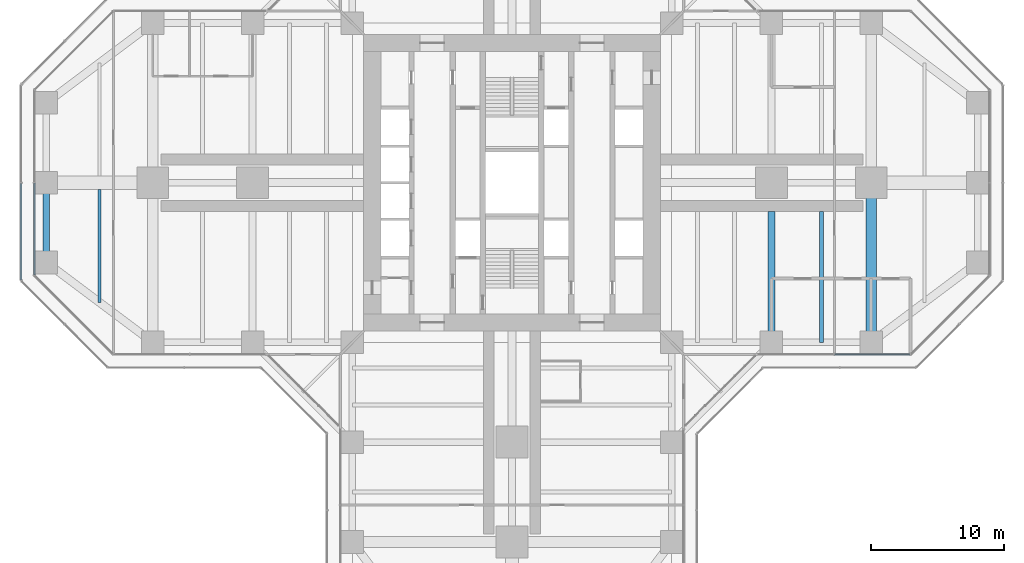
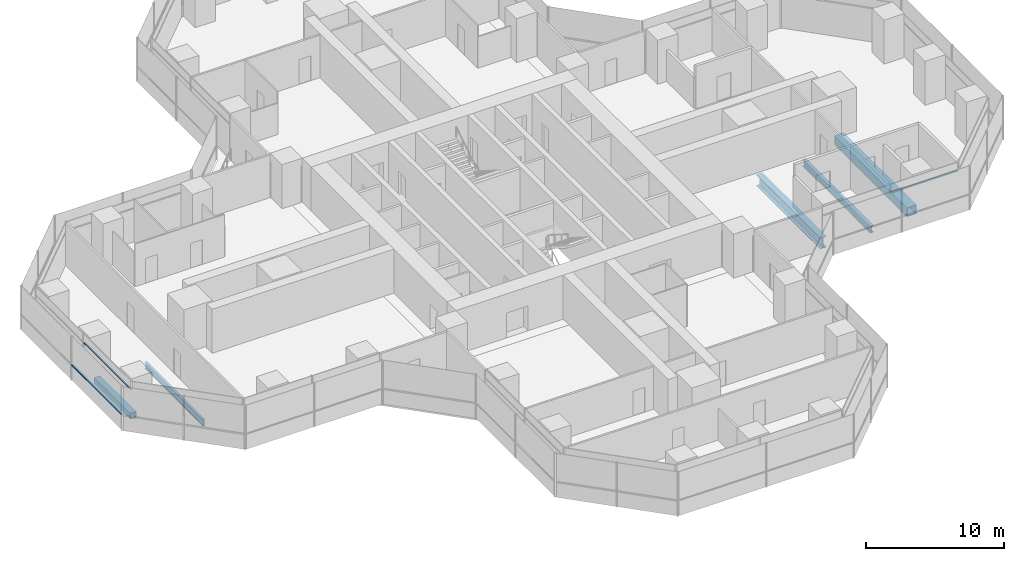
# One storey, part 7 of 22: 5 beams, 3 members, 3 elements without a shape of their own.
"""IFC4 building model written with IfcOpenShell, lengths in metres."""

from ifc_helpers import new_model, si_unit, direction, frame, origin, origin_2d, place, context, subcontext, project, spatial, rectangle, hollow_rectangle, i_section, extrude, material, material_profile, profile_set, type_object, element, aggregate, save


model = new_model("IFC4")

# Units and contexts
model_context = context("Model", 3, precision=1e-05, world=origin(), true_north=direction((0.0, 1.0)))
body_context = subcontext(model_context, "Body", "Model", "MODEL_VIEW")
ifc_project = project(units=[si_unit("LENGTHUNIT", "METRE"), si_unit("AREAUNIT", "SQUARE_METRE"), si_unit("VOLUMEUNIT", "CUBIC_METRE"), si_unit("PLANEANGLEUNIT", "RADIAN"), si_unit("MASSUNIT", "GRAM", prefix="KILO")], contexts=[model_context])

# Site, building, storey
site_placement = place(None, origin())
site = spatial("IfcSite", under=ifc_project, at=site_placement, CompositionType="ELEMENT")
building_placement = place(site_placement, origin())
building = spatial("IfcBuilding", under=site, at=building_placement, Name="Mizan Broadcast Tower", CompositionType="ELEMENT")
storey_placement = place(building_placement, frame((0.0, 0.0, 78.60009765625)))
storey = spatial("IfcBuildingStorey", under=building, at=storey_placement, Name="L16", CompositionType="ELEMENT", Elevation=78.60009765625)

# Beams
ifc_material_1 = material(Name="Steel S355", Category="steel")
ifc_material_profile_1 = material_profile(ifc_material_1, hollow_rectangle(XDim=0.5, YDim=0.5, WallThickness=0.030029296875, at=origin_2d()), Name="BOX 500x500x30")
ifc_profile_set_1 = profile_set([ifc_material_profile_1], Name="Steel S355")
beam_type_1 = type_object("IfcBeamType", Name="EDGE BEAM BOX 500x500x30", PredefinedType="SPANDREL", material=ifc_profile_set_1)
beam_1_placement = place(storey_placement, frame((-35.0, -5.639892578125, -0.380126953125), z_axis=(0.0, 1.0, 0.0), x_axis=(-1.0, 0.0, 0.0)))
element("IfcBeam", 1, at=beam_1_placement, inside=storey, type_object=beam_type_1, Name="Edge beam BOX 500x500x30 L16 west arm", PredefinedType="SPANDREL", context=body_context, shape_type="SweptSolid", body=[
    extrude(hollow_rectangle(XDim=0.5, YDim=0.5, WallThickness=0.030029296875, at=origin_2d()), origin(), (0.0, 0.0, 1.0), 5.27978515625),
])
ifc_material_2 = material(Name="Steel S460", Category="steel")
ifc_material_profile_2 = material_profile(ifc_material_2, hollow_rectangle(XDim=0.800048828125, YDim=0.800048828125, WallThickness=0.050048828125, at=origin_2d()), Name="BOX 800x800x50")
ifc_profile_set_2 = profile_set([ifc_material_profile_2], Name="Steel S460")
beam_type_2 = type_object("IfcBeamType", Name="GIRDER BOX 800x800x50", PredefinedType="BEAM", material=ifc_profile_set_2)
beam_2_placement = place(storey_placement, frame((27.0, -11.280029296875, -0.530029296875), z_axis=(0.0, 1.0, 0.0), x_axis=(-1.0, 0.0, 0.0)))
element("IfcBeam", 2, at=beam_2_placement, inside=storey, type_object=beam_type_2, Name="Girder BOX 800x800x50 L16 east arm", PredefinedType="BEAM", context=body_context, shape_type="SweptSolid", body=[
    extrude(hollow_rectangle(XDim=0.800048828125, YDim=0.800048828125, WallThickness=0.050048828125, at=origin_2d()), origin(), (0.0, 0.0, 1.0), 10.56005859375),
])
ifc_material_3 = material(Name="Steel S460", Category="steel")
ifc_material_profile_3 = material_profile(ifc_material_3, i_section(OverallWidth=0.5, OverallDepth=1.0, WebThickness=0.02490234375, FlangeThickness=0.050048828125, at=origin_2d()), Name="WPG 1000x500")
ifc_profile_set_3 = profile_set([ifc_material_profile_3], Name="Steel S460")
beam_type_3 = type_object("IfcBeamType", Name="GIRDER WPG 1000x500", PredefinedType="BEAM", material=ifc_profile_set_3)
beam_3_placement = place(storey_placement, frame((19.5, -11.408935546875, -0.630126953125), z_axis=(0.0, 1.0, 0.0), x_axis=(-1.0, 0.0, 0.0)))
element("IfcBeam", 3, at=beam_3_placement, inside=storey, type_object=beam_type_3, Name="Girder WPG 1000x500 L16 east arm", PredefinedType="BEAM", context=body_context, shape_type="SweptSolid", body=[
    extrude(i_section(OverallWidth=0.5, OverallDepth=1.0, WebThickness=0.02490234375, FlangeThickness=0.050048828125, at=origin_2d()), origin(), (0.0, 0.0, 1.0), 9.259033203125),
])

# Curtain wall, member
ifc_material_4 = material(Name="Aluminium framed glazing", Category="aluminium")
curtain_wall_type_1 = type_object("IfcCurtainWallType", Name="INNER SKIN LOW ZONE", PredefinedType="USERDEFINED", material=ifc_material_4)
curtain_wall_1_placement = place(storey_placement, origin())
curtain_wall_1 = element("IfcCurtainWall", 4, at=curtain_wall_1_placement, inside=storey, type_object=curtain_wall_type_1, Name="Inner skin low zone L16 E side", ObjectType="INNER SKIN LOW ZONE", PredefinedType="USERDEFINED")
ifc_material_5 = material(Name="Aluminium, pale anodised", Category="aluminium")
ifc_material_profile_4 = material_profile(ifc_material_5, rectangle(XDim=0.1201171875, YDim=0.06005859375, at=origin_2d()), Name="TRANSOM 120x60")
ifc_profile_set_4 = profile_set([ifc_material_profile_4], Name="Aluminium, pale anodised")
member_type_1 = type_object("IfcMemberType", Name="INNER SKIN TRANSOM 60x120", PredefinedType="USERDEFINED", material=ifc_profile_set_4)
member_1_placement = place(storey_placement, frame((24.25927734375, -12.89990234375, 3.02978515625), z_axis=(1.0, 0.0, 0.0), x_axis=(0.0, 1.0, 0.0)))
member_1 = element("IfcMember", 5, at=member_1_placement, type_object=member_type_1, Name="Inner skin low zone L16 E side transom 2.1", ObjectType="TRANSOM", PredefinedType="USERDEFINED", context=body_context, shape_type="SweptSolid", body=[
    extrude(rectangle(XDim=0.1201171875, YDim=0.06005859375, at=origin_2d()), origin(), (0.0, 0.0, 1.0), 5.639404296875),
])
aggregate(curtain_wall_1, [member_1])

curtain_wall_2_placement = place(storey_placement, origin())
curtain_wall_2 = element("IfcCurtainWall", 6, at=curtain_wall_2_placement, inside=storey, type_object=curtain_wall_type_1, Name="Inner skin low zone L16 W end", ObjectType="INNER SKIN LOW ZONE", PredefinedType="USERDEFINED")
member_2_placement = place(storey_placement, frame((-35.89990234375, -0.030029296875, 3.02978515625), z_axis=(0.0, -1.0, 0.0), x_axis=(1.0, 0.0, 0.0)))
member_2 = element("IfcMember", 7, at=member_2_placement, type_object=member_type_1, Name="Inner skin low zone L16 W end transom 2.1", ObjectType="TRANSOM", PredefinedType="USERDEFINED", context=body_context, shape_type="SweptSolid", body=[
    extrude(rectangle(XDim=0.1201171875, YDim=0.06005859375, at=origin_2d()), origin(), (0.0, 0.0, 1.0), 6.86865234375),
])
aggregate(curtain_wall_2, [member_2])

ifc_material_6 = material(Name="Aluminium framed glazing", Category="aluminium")
curtain_wall_type_2 = type_object("IfcCurtainWallType", Name="OUTER SKIN", PredefinedType="USERDEFINED", material=ifc_material_6)
curtain_wall_3_placement = place(storey_placement, origin())
curtain_wall_3 = element("IfcCurtainWall", 8, at=curtain_wall_3_placement, inside=storey, type_object=curtain_wall_type_2, Name="Outer skin L16 W end", ObjectType="OUTER SKIN", PredefinedType="USERDEFINED")
ifc_material_7 = material(Name="Aluminium, pale anodised", Category="aluminium")
ifc_material_profile_5 = material_profile(ifc_material_7, rectangle(XDim=0.159912109375, YDim=0.06005859375, at=origin_2d()), Name="TRANSOM 160x60")
ifc_profile_set_5 = profile_set([ifc_material_profile_5], Name="Aluminium, pale anodised")
member_type_2 = type_object("IfcMemberType", Name="OUTER SKIN TRANSOM 60x160", PredefinedType="USERDEFINED", material=ifc_profile_set_5)
member_3_placement = place(storey_placement, frame((-36.89990234375, -0.0400390625, 1.39990234375), z_axis=(0.0, -1.0, 0.0), x_axis=(1.0, 0.0, 0.0)))
member_3 = element("IfcMember", 9, at=member_3_placement, type_object=member_type_2, Name="Outer skin L16 W end transom 2.1", ObjectType="TRANSOM", PredefinedType="USERDEFINED", context=body_context, shape_type="SweptSolid", body=[
    extrude(rectangle(XDim=0.159912109375, YDim=0.06005859375, at=origin_2d()), origin(), (0.0, 0.0, 1.0), 7.252685546875),
])
aggregate(curtain_wall_3, [member_3])

# Beams
ifc_material_8 = material(Name="Steel S355", Category="steel")
ifc_material_profile_6 = material_profile(ifc_material_8, i_section(OverallWidth=0.300048828125, OverallDepth=0.590087890625, WebThickness=0.012939453125, FlangeThickness=0.02490234375, FilletRadius=0.027099609375, at=origin_2d()), Name="HEA 600")
ifc_profile_set_6 = profile_set([ifc_material_profile_6], Name="Steel S355")
beam_type_4 = type_object("IfcBeamType", Name="SECONDARY BEAM HEA 600", PredefinedType="JOIST", material=ifc_profile_set_6)
beam_4_placement = place(storey_placement, frame((23.25, -12.0, -0.425048828125), z_axis=(0.0, 1.0, 0.0), x_axis=(-1.0, 0.0, 0.0)))
element("IfcBeam", 10, at=beam_4_placement, inside=storey, type_object=beam_type_4, Name="Secondary beam HEA 600 L16 east arm", PredefinedType="JOIST", context=body_context, shape_type="SweptSolid", body=[
    extrude(i_section(OverallWidth=0.300048828125, OverallDepth=0.590087890625, WebThickness=0.012939453125, FlangeThickness=0.02490234375, FilletRadius=0.027099609375, at=origin_2d()), origin(), (0.0, 0.0, 1.0), 9.85009765625),
])
ifc_material_9 = material(Name="Steel S355", Category="steel")
ifc_material_profile_7 = material_profile(ifc_material_9, i_section(OverallWidth=0.2099609375, OverallDepth=0.550048828125, WebThickness=0.010986328125, FlangeThickness=0.01708984375, FilletRadius=0.02392578125, at=origin_2d()), Name="IPE 550")
ifc_profile_set_7 = profile_set([ifc_material_profile_7], Name="Steel S355")
beam_type_5 = type_object("IfcBeamType", Name="SECONDARY BEAM IPE 550", PredefinedType="JOIST", material=ifc_profile_set_7)
beam_5_placement = place(storey_placement, frame((-31.0, -9.0, -0.405029296875), z_axis=(0.0, 1.0, 0.0), x_axis=(-1.0, 0.0, 0.0)))
element("IfcBeam", 11, at=beam_5_placement, inside=storey, type_object=beam_type_5, Name="Secondary beam IPE 550 L16 west arm", PredefinedType="JOIST", context=body_context, shape_type="SweptSolid", body=[
    extrude(i_section(OverallWidth=0.2099609375, OverallDepth=0.550048828125, WebThickness=0.010986328125, FlangeThickness=0.01708984375, FilletRadius=0.02392578125, at=origin_2d()), origin(), (0.0, 0.0, 1.0), 8.5),
])

save(model, "model.ifc")
